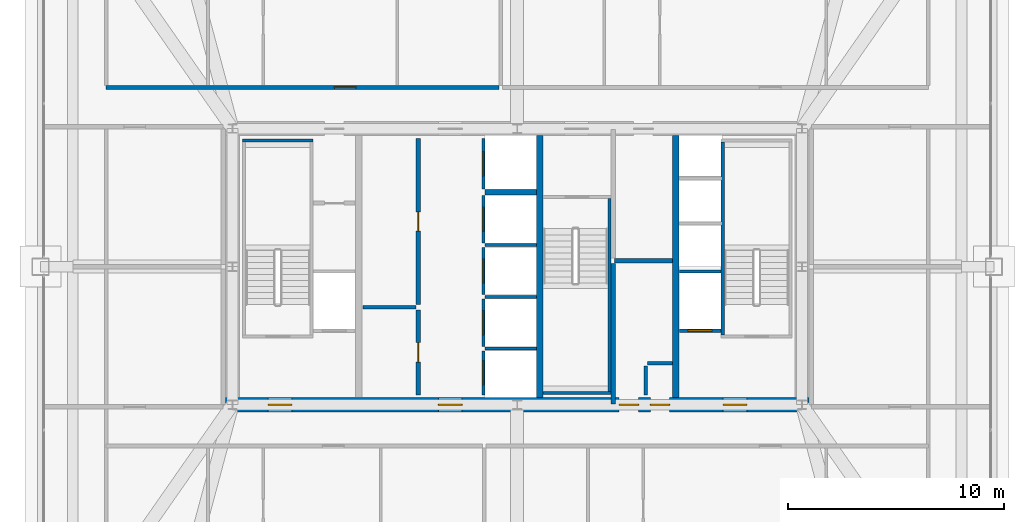
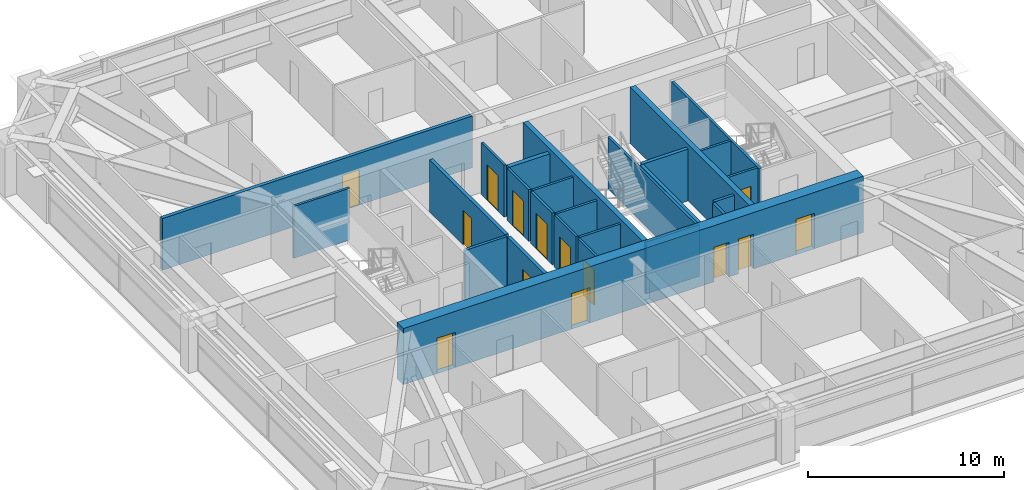
# One storey, part 35 of 39: 26 walls, 14 doors, 14 openings.
"""IFC4 building model written with IfcOpenShell, lengths in metres."""

from ifc_helpers import new_model, si_unit, direction, frame, frame_2d, origin, place, context, subcontext, project, spatial, rectangle, extrude, source, transform, mapped, material, layer, layer_set, type_object, element, fill, save


model = new_model("IFC4")

# Units and contexts
model_context = context("Model", 3, precision=1e-05, world=origin(), true_north=direction((0.0, 1.0)))
body_context = subcontext(model_context, "Body", "Model", "MODEL_VIEW")
ifc_project = project(units=[si_unit("LENGTHUNIT", "METRE"), si_unit("AREAUNIT", "SQUARE_METRE"), si_unit("VOLUMEUNIT", "CUBIC_METRE"), si_unit("PLANEANGLEUNIT", "RADIAN"), si_unit("MASSUNIT", "GRAM", prefix="KILO"), si_unit("THERMODYNAMICTEMPERATUREUNIT", "KELVIN"), si_unit("POWERUNIT", "WATT")], contexts=[model_context])

# Site, building, storey
site_placement = place(None, origin())
site = spatial("IfcSite", under=ifc_project, at=site_placement, CompositionType="ELEMENT")
building_placement = place(site_placement, origin())
building = spatial("IfcBuilding", under=site, at=building_placement, Name="Yuzanri Waterfront Tower", CompositionType="ELEMENT")
storey_placement = place(building_placement, frame((0.0, 0.0, 216.0)))
storey = spatial("IfcBuildingStorey", under=building, at=storey_placement, Name="L57", CompositionType="ELEMENT", Elevation=216.0)

# Wall, openings, doors
ifc_material_1 = material(Name="Concrete C50", Category="concrete")
ifc_layer_1 = layer(ifc_material_1, 0.64990234375)
ifc_layer_set_1 = layer_set([ifc_layer_1], Name="Concrete C50")
wall_type_1 = type_object("IfcWallType", Name="Concrete C50 Mid Zone Core Shear Wall 650", PredefinedType="SHEAR", material=ifc_layer_set_1)
wall_1_placement = place(storey_placement, frame((23.47509765625, 19.39990234375, 0.0), z_axis=(0.0, 0.0, 1.0), x_axis=(1.0, 0.0, 0.0)))
wall_1 = element("IfcWall", 1, at=wall_1_placement, inside=storey, type_object=wall_type_1, Name="L57 Core South Shear Wall", PredefinedType="SHEAR", context=body_context, shape_type="SweptSolid", body=[
    extrude(rectangle(XDim=27.0498046875, YDim=0.64990234375, at=frame_2d((13.52490234375, 0.0))), origin(), (0.0, 0.0, 1.0), 3.5),
])
opening_1_placement = place(wall_1_placement, frame((1.97509765625, 0.0, 0.0)))
opening_1 = element("IfcOpeningElement", 2, at=opening_1_placement, cuts=wall_1, Name="Opening FD-1100", PredefinedType="OPENING", context=body_context, shape_type="SweptSolid", body=[
    extrude(rectangle(XDim=1.10009765625, YDim=2.199951171875, at=frame_2d((0.550048828125, 1.10009765625))), frame((0.0, 0.33984375, 0.0), z_axis=(0.0, -1.0, 0.0), x_axis=(1.0, 0.0, 0.0)), (0.0, 0.0, 1.0), 0.6796875),
])
opening_2_placement = place(wall_1_placement, frame((9.875, 0.0, 0.0)))
opening_2 = element("IfcOpeningElement", 3, at=opening_2_placement, cuts=wall_1, Name="Opening FD-1100", PredefinedType="OPENING", context=body_context, shape_type="SweptSolid", body=[
    extrude(rectangle(XDim=1.10009765625, YDim=2.199951171875, at=frame_2d((0.550048828125, 1.10009765625))), frame((0.0, 0.33984375, 0.0), z_axis=(0.0, -1.0, 0.0), x_axis=(1.0, 0.0, 0.0)), (0.0, 0.0, 1.0), 0.6796875),
])
opening_3_placement = place(wall_1_placement, frame((23.074951171875, 0.0, 0.0)))
opening_3 = element("IfcOpeningElement", 4, at=opening_3_placement, cuts=wall_1, Name="Opening FD-1100", PredefinedType="OPENING", context=body_context, shape_type="SweptSolid", body=[
    extrude(rectangle(XDim=1.10009765625, YDim=2.199951171875, at=frame_2d((0.550048828125, 1.10009765625))), frame((0.0, 0.33984375, 0.0), z_axis=(0.0, -1.0, 0.0), x_axis=(1.0, 0.0, 0.0)), (0.0, 0.0, 1.0), 0.6796875),
])
opening_4_placement = place(wall_1_placement, frame((19.695068359375, 0.0, 0.0)))
opening_4 = element("IfcOpeningElement", 5, at=opening_4_placement, cuts=wall_1, Name="Opening FD-0900", PredefinedType="OPENING", context=body_context, shape_type="SweptSolid", body=[
    extrude(rectangle(XDim=0.89990234375, YDim=2.14990234375, at=frame_2d((0.449951171875, 1.074951171875))), frame((0.0, 0.33984375, 0.0), z_axis=(0.0, -1.0, 0.0), x_axis=(1.0, 0.0, 0.0)), (0.0, 0.0, 1.0), 0.6796875),
])
opening_5_placement = place(wall_1_placement, frame((18.2548828125, 0.0, 0.0)))
opening_5 = element("IfcOpeningElement", 6, at=opening_5_placement, cuts=wall_1, Name="Opening FD-0900", PredefinedType="OPENING", context=body_context, shape_type="SweptSolid", body=[
    extrude(rectangle(XDim=0.89990234375, YDim=2.14990234375, at=frame_2d((0.449951171875, 1.074951171875))), frame((0.0, 0.33984375, 0.0), z_axis=(0.0, -1.0, 0.0), x_axis=(1.0, 0.0, 0.0)), (0.0, 0.0, 1.0), 0.6796875),
])
ifc_material_2 = material(Name="Painted Galvanized Fire Steel", Category="steel")
door_type_1 = type_object("IfcDoorType", Name="Smoke-Proof Stair and Lobby Fire Door 1100x2200", OperationType="NOTDEFINED", PredefinedType="DOOR", material=ifc_material_2)
shared_shape_1 = source(origin(), body_context, "Body", "SweptSolid", [
    extrude(rectangle(XDim=1.10009765625, YDim=2.199951171875, at=frame_2d((0.550048828125, 1.10009765625))), frame((0.0, 0.02490234375, 0.0), z_axis=(0.0, -1.0, 0.0), x_axis=(1.0, 0.0, 0.0)), (0.0, 0.0, 1.0), 0.050048828125),
])
door_1_placement = place(opening_1_placement, origin())
door_1 = element("IfcDoor", 7, at=door_1_placement, inside=storey, type_object=door_type_1, Name="L57 West Firefighting Lobby Door", OperationType="SINGLE_SWING_LEFT", OverallHeight=2.199951171875, OverallWidth=1.10009765625, PredefinedType="DOOR", context=body_context, shape_type="MappedRepresentation", body=[
    mapped(shared_shape_1, transform((0.0, 0.0, 0.0), scale=1.0)),
])
fill(opening_1, door_1)
door_2_placement = place(opening_2_placement, origin())
door_2 = element("IfcDoor", 8, at=door_2_placement, inside=storey, type_object=door_type_1, Name="L57 Central Lift Lobby South Door", OperationType="SINGLE_SWING_RIGHT", OverallHeight=2.199951171875, OverallWidth=1.10009765625, PredefinedType="DOOR", context=body_context, shape_type="MappedRepresentation", body=[
    mapped(shared_shape_1, transform((0.0, 0.0, 0.0), scale=1.0)),
])
fill(opening_2, door_2)
door_3_placement = place(opening_3_placement, origin())
door_3 = element("IfcDoor", 9, at=door_3_placement, inside=storey, type_object=door_type_1, Name="L57 East Firefighting Lobby Door", OperationType="SINGLE_SWING_LEFT", OverallHeight=2.199951171875, OverallWidth=1.10009765625, PredefinedType="DOOR", context=body_context, shape_type="MappedRepresentation", body=[
    mapped(shared_shape_1, transform((0.0, 0.0, 0.0), scale=1.0)),
])
fill(opening_3, door_3)
ifc_material_3 = material(Name="Painted Galvanized Fire Steel", Category="steel")
door_type_2 = type_object("IfcDoorType", Name="Riser and Service Room Fire Door 900x2150", OperationType="NOTDEFINED", PredefinedType="DOOR", material=ifc_material_3)
shared_shape_2 = source(origin(), body_context, "Body", "SweptSolid", [
    extrude(rectangle(XDim=0.89990234375, YDim=2.14990234375, at=frame_2d((0.449951171875, 1.074951171875))), frame((0.0, 0.02490234375, 0.0), z_axis=(0.0, -1.0, 0.0), x_axis=(1.0, 0.0, 0.0)), (0.0, 0.0, 1.0), 0.050048828125),
])
door_4_placement = place(opening_4_placement, origin())
door_4 = element("IfcDoor", 10, at=door_4_placement, inside=storey, type_object=door_type_2, Name="L57 East Wet Riser Door", OperationType="SINGLE_SWING_RIGHT", OverallHeight=2.14990234375, OverallWidth=0.89990234375, PredefinedType="DOOR", context=body_context, shape_type="MappedRepresentation", body=[
    mapped(shared_shape_2, transform((0.0, 0.0, 0.0), scale=1.0)),
])
fill(opening_4, door_4)
door_5_placement = place(opening_5_placement, origin())
door_5 = element("IfcDoor", 11, at=door_5_placement, inside=storey, type_object=door_type_2, Name="L57 Meter and Valve Store Room", OperationType="SINGLE_SWING_LEFT", OverallHeight=2.14990234375, OverallWidth=0.89990234375, PredefinedType="DOOR", context=body_context, shape_type="MappedRepresentation", body=[
    mapped(shared_shape_2, transform((0.0, 0.0, 0.0), scale=1.0)),
])
fill(opening_5, door_5)

# Wall, opening, door
ifc_material_4 = material(Name="Concrete C40", Category="concrete")
ifc_layer_2 = layer(ifc_material_4, 0.139892578125)
ifc_layer_set_2 = layer_set([ifc_layer_2], Name="Concrete C40")
wall_type_2 = type_object("IfcWallType", Name="Core Stair Liner and Hoistway Shaft Wall 140", PredefinedType="SOLIDWALL", material=ifc_layer_set_2)
wall_2_placement = place(storey_placement, frame((44.52001953125, 22.830078125, 0.0), z_axis=(0.0, 0.0, 1.0), x_axis=(1.0, 0.0, 0.0)))
wall_2 = element("IfcWall", 12, at=wall_2_placement, inside=storey, type_object=wall_type_2, Name="L57 Lift FL-02 Front Shaft Wall", PredefinedType="SOLIDWALL", context=body_context, shape_type="SweptSolid", body=[
    extrude(rectangle(XDim=1.919921875, YDim=0.139892578125, at=frame_2d((0.9599609375, 0.0))), origin(), (0.0, 0.0, 1.0), 3.219970703125),
])
opening_6_placement = place(wall_2_placement, frame((0.409912109375, 0.0, 0.0)))
opening_6 = element("IfcOpeningElement", 13, at=opening_6_placement, cuts=wall_2, Name="Opening LD-FL-02", PredefinedType="OPENING", context=body_context, shape_type="SweptSolid", body=[
    extrude(rectangle(XDim=1.10009765625, YDim=2.199951171875, at=frame_2d((0.550048828125, 1.10009765625))), frame((0.0, 0.0849609375, 0.0), z_axis=(0.0, -1.0, 0.0), x_axis=(1.0, 0.0, 0.0)), (0.0, 0.0, 1.0), 0.169677734375),
])
ifc_material_5 = material(Name="Brushed Bronze and Stainless Steel Cab", Category="steel")
door_type_3 = type_object("IfcDoorType", Name="Center-Parting Bronze Lift Landing Sliding Door 1100x2200", OperationType="NOTDEFINED", PredefinedType="DOOR", material=ifc_material_5)
shared_shape_3 = source(origin(), body_context, "Body", "SweptSolid", [
    extrude(rectangle(XDim=1.10009765625, YDim=2.199951171875, at=frame_2d((0.550048828125, 1.10009765625))), frame((0.0, 0.02490234375, 0.0), z_axis=(0.0, -1.0, 0.0), x_axis=(1.0, 0.0, 0.0)), (0.0, 0.0, 1.0), 0.050048828125),
])
door_6_placement = place(opening_6_placement, origin())
door_6 = element("IfcDoor", 14, at=door_6_placement, inside=storey, type_object=door_type_3, Name="L57 FL-02 Lift Landing Sliding Door", OperationType="SLIDING_TO_RIGHT", OverallHeight=2.199951171875, OverallWidth=1.10009765625, PredefinedType="DOOR", context=body_context, shape_type="MappedRepresentation", body=[
    mapped(shared_shape_3, transform((0.0, 0.0, 0.0), scale=1.0)),
])
fill(opening_6, door_6)

wall_3_placement = place(storey_placement, frame((35.429931640625, 19.860107421875, 0.0), z_axis=(0.0, 0.0, 1.0), x_axis=(0.0, 1.0, 0.0)))
wall_3 = element("IfcWall", 15, at=wall_3_placement, inside=storey, type_object=wall_type_2, Name="L57 Lift PL-05 Front Shaft Wall", PredefinedType="SOLIDWALL", context=body_context, shape_type="SweptSolid", body=[
    extrude(rectangle(XDim=2.039794921875, YDim=0.139892578125, at=frame_2d((1.02001953125, 0.0))), origin(), (0.0, 0.0, 1.0), 3.219970703125),
])
opening_7_placement = place(wall_3_placement, frame((0.469970703125, 0.0, 0.0)))
opening_7 = element("IfcOpeningElement", 16, at=opening_7_placement, cuts=wall_3, Name="Opening LD-PL-05", PredefinedType="OPENING", context=body_context, shape_type="SweptSolid", body=[
    extrude(rectangle(XDim=1.10009765625, YDim=2.199951171875, at=frame_2d((0.550048828125, 1.10009765625))), frame((0.0, 0.0849609375, 0.0), z_axis=(0.0, -1.0, 0.0), x_axis=(1.0, 0.0, 0.0)), (0.0, 0.0, 1.0), 0.169677734375),
])
door_7_placement = place(opening_7_placement, origin())
door_7 = element("IfcDoor", 17, at=door_7_placement, inside=storey, type_object=door_type_3, Name="L57 PL-05 Lift Landing Sliding Door", OperationType="SLIDING_TO_RIGHT", OverallHeight=2.199951171875, OverallWidth=1.10009765625, PredefinedType="DOOR", context=body_context, shape_type="MappedRepresentation", body=[
    mapped(shared_shape_3, transform((0.0, 0.0, 0.0), scale=1.0)),
])
fill(opening_7, door_7)

wall_4_placement = place(storey_placement, frame((35.429931640625, 22.10009765625, 0.0), z_axis=(0.0, 0.0, 1.0), x_axis=(0.0, 1.0, 0.0)))
wall_4 = element("IfcWall", 18, at=wall_4_placement, inside=storey, type_object=wall_type_2, Name="L57 Lift PL-06 Front Shaft Wall", PredefinedType="SOLIDWALL", context=body_context, shape_type="SweptSolid", body=[
    extrude(rectangle(XDim=2.199951171875, YDim=0.139892578125, at=frame_2d((1.10009765625, 0.0))), origin(), (0.0, 0.0, 1.0), 3.219970703125),
])
opening_8_placement = place(wall_4_placement, frame((0.550048828125, 0.0, 0.0)))
opening_8 = element("IfcOpeningElement", 19, at=opening_8_placement, cuts=wall_4, Name="Opening LD-PL-06", PredefinedType="OPENING", context=body_context, shape_type="SweptSolid", body=[
    extrude(rectangle(XDim=1.10009765625, YDim=2.199951171875, at=frame_2d((0.550048828125, 1.10009765625))), frame((0.0, 0.0849609375, 0.0), z_axis=(0.0, -1.0, 0.0), x_axis=(1.0, 0.0, 0.0)), (0.0, 0.0, 1.0), 0.169677734375),
])
door_8_placement = place(opening_8_placement, origin())
door_8 = element("IfcDoor", 20, at=door_8_placement, inside=storey, type_object=door_type_3, Name="L57 PL-06 Lift Landing Sliding Door", OperationType="SLIDING_TO_LEFT", OverallHeight=2.199951171875, OverallWidth=1.10009765625, PredefinedType="DOOR", context=body_context, shape_type="MappedRepresentation", body=[
    mapped(shared_shape_3, transform((0.0, 0.0, 0.0), scale=1.0)),
])
fill(opening_8, door_8)

wall_5_placement = place(storey_placement, frame((35.429931640625, 24.5, 0.0), z_axis=(0.0, 0.0, 1.0), x_axis=(0.0, 1.0, 0.0)))
wall_5 = element("IfcWall", 21, at=wall_5_placement, inside=storey, type_object=wall_type_2, Name="L57 Lift PL-07 Front Shaft Wall", PredefinedType="SOLIDWALL", context=body_context, shape_type="SweptSolid", body=[
    extrude(rectangle(XDim=2.199951171875, YDim=0.139892578125, at=frame_2d((1.10009765625, 0.0))), origin(), (0.0, 0.0, 1.0), 3.219970703125),
])
opening_9_placement = place(wall_5_placement, frame((0.550048828125, 0.0, 0.0)))
opening_9 = element("IfcOpeningElement", 22, at=opening_9_placement, cuts=wall_5, Name="Opening LD-PL-07", PredefinedType="OPENING", context=body_context, shape_type="SweptSolid", body=[
    extrude(rectangle(XDim=1.10009765625, YDim=2.199951171875, at=frame_2d((0.550048828125, 1.10009765625))), frame((0.0, 0.0849609375, 0.0), z_axis=(0.0, -1.0, 0.0), x_axis=(1.0, 0.0, 0.0)), (0.0, 0.0, 1.0), 0.169677734375),
])
door_9_placement = place(opening_9_placement, origin())
door_9 = element("IfcDoor", 23, at=door_9_placement, inside=storey, type_object=door_type_3, Name="L57 PL-07 Lift Landing Sliding Door", OperationType="SLIDING_TO_RIGHT", OverallHeight=2.199951171875, OverallWidth=1.10009765625, PredefinedType="DOOR", context=body_context, shape_type="MappedRepresentation", body=[
    mapped(shared_shape_3, transform((0.0, 0.0, 0.0), scale=1.0)),
])
fill(opening_9, door_9)

wall_6_placement = place(storey_placement, frame((35.429931640625, 26.89990234375, 0.0), z_axis=(0.0, 0.0, 1.0), x_axis=(0.0, 1.0, 0.0)))
wall_6 = element("IfcWall", 24, at=wall_6_placement, inside=storey, type_object=wall_type_2, Name="L57 Lift PL-08 Front Shaft Wall", PredefinedType="SOLIDWALL", context=body_context, shape_type="SweptSolid", body=[
    extrude(rectangle(XDim=2.2001953125, YDim=0.139892578125, at=frame_2d((1.10009765625, 0.0))), origin(), (0.0, 0.0, 1.0), 3.219970703125),
])
opening_10_placement = place(wall_6_placement, frame((0.550048828125, 0.0, 0.0)))
opening_10 = element("IfcOpeningElement", 25, at=opening_10_placement, cuts=wall_6, Name="Opening LD-PL-08", PredefinedType="OPENING", context=body_context, shape_type="SweptSolid", body=[
    extrude(rectangle(XDim=1.10009765625, YDim=2.199951171875, at=frame_2d((0.550048828125, 1.10009765625))), frame((0.0, 0.0849609375, 0.0), z_axis=(0.0, -1.0, 0.0), x_axis=(1.0, 0.0, 0.0)), (0.0, 0.0, 1.0), 0.169677734375),
])
door_10_placement = place(opening_10_placement, origin())
door_10 = element("IfcDoor", 26, at=door_10_placement, inside=storey, type_object=door_type_3, Name="L57 PL-08 Lift Landing Sliding Door", OperationType="SLIDING_TO_LEFT", OverallHeight=2.199951171875, OverallWidth=1.10009765625, PredefinedType="DOOR", context=body_context, shape_type="MappedRepresentation", body=[
    mapped(shared_shape_3, transform((0.0, 0.0, 0.0), scale=1.0)),
])
fill(opening_10, door_10)

wall_7_placement = place(storey_placement, frame((35.429931640625, 29.39990234375, 0.0), z_axis=(0.0, 0.0, 1.0), x_axis=(0.0, 1.0, 0.0)))
wall_7 = element("IfcWall", 27, at=wall_7_placement, inside=storey, type_object=wall_type_2, Name="L57 Lift SL-02 Front Shaft Wall", PredefinedType="SOLIDWALL", context=body_context, shape_type="SweptSolid", body=[
    extrude(rectangle(XDim=2.340087890625, YDim=0.139892578125, at=frame_2d((1.169921875, 0.0))), origin(), (0.0, 0.0, 1.0), 3.219970703125),
])
opening_11_placement = place(wall_7_placement, frame((0.6201171875, 0.0, 0.0)))
opening_11 = element("IfcOpeningElement", 28, at=opening_11_placement, cuts=wall_7, Name="Opening LD-SL-02", PredefinedType="OPENING", context=body_context, shape_type="SweptSolid", body=[
    extrude(rectangle(XDim=1.10009765625, YDim=2.199951171875, at=frame_2d((0.550048828125, 1.10009765625))), frame((0.0, 0.0849609375, 0.0), z_axis=(0.0, -1.0, 0.0), x_axis=(1.0, 0.0, 0.0)), (0.0, 0.0, 1.0), 0.169677734375),
])
door_11_placement = place(opening_11_placement, origin())
door_11 = element("IfcDoor", 29, at=door_11_placement, inside=storey, type_object=door_type_3, Name="L57 SL-02 Lift Landing Sliding Door", OperationType="SLIDING_TO_RIGHT", OverallHeight=2.199951171875, OverallWidth=1.10009765625, PredefinedType="DOOR", context=body_context, shape_type="MappedRepresentation", body=[
    mapped(shared_shape_3, transform((0.0, 0.0, 0.0), scale=1.0)),
])
fill(opening_11, door_11)

ifc_material_6 = material(Name="Autoclaved Aerated Concrete Blockwork", Category="masonry")
ifc_layer_3 = layer(ifc_material_6, 0.199951171875)
ifc_layer_set_3 = layer_set([ifc_layer_3], Name="Autoclaved Aerated Concrete Blockwork")
wall_type_3 = type_object("IfcWallType", Name="Corridor and Unit Party Fire Wall 200", PredefinedType="PARTITIONING", material=ifc_layer_set_3)
wall_8_placement = place(storey_placement, frame((32.419921875, 19.860107421875, 0.0), z_axis=(0.0, 0.0, 1.0), x_axis=(0.0, 1.0, 0.0)))
wall_8 = element("IfcWall", 30, at=wall_8_placement, inside=storey, type_object=wall_type_3, Name="L57 Partition CRW-L57-B1R-1", PredefinedType="PARTITIONING", context=body_context, shape_type="SweptSolid", body=[
    extrude(rectangle(XDim=3.93994140625, YDim=0.199951171875, at=frame_2d((1.969970703125, 0.0))), origin(), (0.0, 0.0, 1.0), 3.219970703125),
])
opening_12_placement = place(wall_8_placement, frame((1.52001953125, 0.0, 0.0)))
opening_12 = element("IfcOpeningElement", 31, at=opening_12_placement, cuts=wall_8, Name="Opening FD-0900", PredefinedType="OPENING", context=body_context, shape_type="SweptSolid", body=[
    extrude(rectangle(XDim=0.89990234375, YDim=2.14990234375, at=frame_2d((0.449951171875, 1.074951171875))), frame((0.0, 0.11474609375, 0.0), z_axis=(0.0, -1.0, 0.0), x_axis=(1.0, 0.0, 0.0)), (0.0, 0.0, 1.0), 0.229736328125),
])
door_12_placement = place(opening_12_placement, origin())
door_12 = element("IfcDoor", 32, at=door_12_placement, inside=storey, type_object=door_type_2, Name="L57 Janitor Supply Store Room", OperationType="SINGLE_SWING_RIGHT", OverallHeight=2.14990234375, OverallWidth=0.89990234375, PredefinedType="DOOR", context=body_context, shape_type="MappedRepresentation", body=[
    mapped(shared_shape_2, transform((0.0, 0.0, 0.0), scale=1.0)),
])
fill(opening_12, door_12)

wall_9_placement = place(storey_placement, frame((32.419921875, 24.050048828125, 0.0), z_axis=(0.0, 0.0, 1.0), x_axis=(0.0, 1.0, 0.0)))
wall_9 = element("IfcWall", 33, at=wall_9_placement, inside=storey, type_object=wall_type_3, Name="L57 Partition CRW-L57-B1R-2", PredefinedType="PARTITIONING", context=body_context, shape_type="SweptSolid", body=[
    extrude(rectangle(XDim=7.68994140625, YDim=0.199951171875, at=frame_2d((3.844970703125, 0.0))), origin(), (0.0, 0.0, 1.0), 3.219970703125),
])
opening_13_placement = place(wall_9_placement, frame((3.39501953125, 0.0, 0.0)))
opening_13 = element("IfcOpeningElement", 34, at=opening_13_placement, cuts=wall_9, Name="Opening FD-0900", PredefinedType="OPENING", context=body_context, shape_type="SweptSolid", body=[
    extrude(rectangle(XDim=0.89990234375, YDim=2.14990234375, at=frame_2d((0.449951171875, 1.074951171875))), frame((0.0, 0.11474609375, 0.0), z_axis=(0.0, -1.0, 0.0), x_axis=(1.0, 0.0, 0.0)), (0.0, 0.0, 1.0), 0.229736328125),
])
door_13_placement = place(opening_13_placement, origin())
door_13 = element("IfcDoor", 35, at=door_13_placement, inside=storey, type_object=door_type_2, Name="L57 Common Store Room", OperationType="SINGLE_SWING_LEFT", OverallHeight=2.14990234375, OverallWidth=0.89990234375, PredefinedType="DOOR", context=body_context, shape_type="MappedRepresentation", body=[
    mapped(shared_shape_2, transform((0.0, 0.0, 0.0), scale=1.0)),
])
fill(opening_13, door_13)

wall_10_placement = place(storey_placement, frame((17.93994140625, 34.110107421875, 0.0), z_axis=(0.0, 0.0, 1.0), x_axis=(1.0, 0.0, 0.0)))
wall_10 = element("IfcWall", 36, at=wall_10_placement, inside=storey, type_object=wall_type_3, Name="L57 Partition UW-L57-RN1-CS", PredefinedType="PARTITIONING", context=body_context, shape_type="SweptSolid", body=[
    extrude(rectangle(XDim=18.218017578125, YDim=0.199951171875, at=frame_2d((9.10888671875, 0.0))), origin(), (0.0, 0.0, 1.0), 3.219970703125),
])
opening_14_placement = place(wall_10_placement, frame((10.58203125, 0.0, 0.0)))
opening_14 = element("IfcOpeningElement", 37, at=opening_14_placement, cuts=wall_10, Name="Opening FD-1000", PredefinedType="OPENING", context=body_context, shape_type="SweptSolid", body=[
    extrude(rectangle(XDim=1.0, YDim=2.199951171875, at=frame_2d((0.5, 1.10009765625))), frame((0.0, 0.11474609375, 0.0), z_axis=(0.0, -1.0, 0.0), x_axis=(1.0, 0.0, 0.0)), (0.0, 0.0, 1.0), 0.229736328125),
])
ifc_material_7 = material(Name="Engineered Oak Fire-Rated Timber", Category="wood")
door_type_4 = type_object("IfcDoorType", Name="Guestroom and Apartment Entrance Fire Door 1000x2200", OperationType="NOTDEFINED", PredefinedType="DOOR", material=ifc_material_7)
shared_shape_4 = source(origin(), body_context, "Body", "SweptSolid", [
    extrude(rectangle(XDim=1.0, YDim=2.199951171875, at=frame_2d((0.5, 1.10009765625))), frame((0.0, 0.02490234375, 0.0), z_axis=(0.0, -1.0, 0.0), x_axis=(1.0, 0.0, 0.0)), (0.0, 0.0, 1.0), 0.050048828125),
])
door_14_placement = place(opening_14_placement, origin())
door_14 = element("IfcDoor", 38, at=door_14_placement, inside=storey, type_object=door_type_4, Name="L57 Apartment Living and Dining Salon Entrance Door", OperationType="SINGLE_SWING_LEFT", OverallHeight=2.199951171875, OverallWidth=1.0, PredefinedType="DOOR", context=body_context, shape_type="MappedRepresentation", body=[
    mapped(shared_shape_4, transform((0.0, 0.0, 0.0), scale=1.0)),
])
fill(opening_14, door_14)

# Walls
ifc_material_8 = material(Name="Concrete C50", Category="concrete")
ifc_layer_4 = layer(ifc_material_8, 0.300048828125)
ifc_layer_set_4 = layer_set([ifc_layer_4], Name="Concrete C50")
wall_type_4 = type_object("IfcWallType", Name="Concrete C50 Internal Core Shaft Structural Wall 300", PredefinedType="SOLIDWALL", material=ifc_layer_set_4)
shared_shape_5 = source(origin(), body_context, "Body", "SweptSolid", [
    extrude(rectangle(XDim=12.14990234375, YDim=0.300048828125, at=frame_2d((6.074951171875, 0.0))), origin(), (0.0, 0.0, 1.0), 3.5),
])
for number, where, z_axis, x_axis, name in (
    (39, (38.050048828125, 19.72509765625, 0.0), (0.0, 0.0, 1.0), (0.0, 1.0, 0.0), "L57 Core Internal Structural Web Wall 2"),
    (40, (44.35009765625, 19.72509765625, 0.0), (0.0, 0.0, 1.0), (0.0, 1.0, 0.0), "L57 Core Internal Structural Web Wall 3"),
):
    element("IfcWall", number, at=place(storey_placement, frame(where, z_axis=z_axis, x_axis=x_axis)), inside=storey, type_object=wall_type_4, Name=name, PredefinedType="SOLIDWALL", context=body_context, shape_type="MappedRepresentation", body=[
        mapped(shared_shape_5, transform((0.0, 0.0, 0.0), scale=1.0)),
    ])
shared_shape_6 = source(origin(), body_context, "Body", "SweptSolid", [
    extrude(rectangle(XDim=1.919921875, YDim=0.139892578125, at=frame_2d((0.9599609375, 0.0))), origin(), (0.0, 0.0, 1.0), 3.219970703125),
])
wall_11_placement = place(storey_placement, frame((44.52001953125, 25.570068359375, 0.0), z_axis=(0.0, 0.0, 1.0), x_axis=(1.0, 0.0, 0.0)))
element("IfcWall", 41, at=wall_11_placement, inside=storey, type_object=wall_type_2, Name="L57 Lift FL-02 Back Shaft Wall", PredefinedType="SOLIDWALL", context=body_context, shape_type="MappedRepresentation", body=[
    mapped(shared_shape_6, transform((0.0, 0.0, 0.0), scale=1.0)),
])
shared_shape_7 = source(origin(), body_context, "Body", "SweptSolid", [
    extrude(rectangle(XDim=2.39990234375, YDim=0.139892578125, at=frame_2d((1.199951171875, 0.0))), origin(), (0.0, 0.0, 1.0), 3.219970703125),
])
for number, where, z_axis, x_axis, name in (
    (42, (35.5, 22.0, 0.0), (0.0, 0.0, 1.0), (1.0, 0.0, 0.0), "L57 Lift PL-05 Divider Wall"),
    (43, (35.5, 24.39990234375, 0.0), (0.0, 0.0, 1.0), (1.0, 0.0, 0.0), "L57 Lift PL-06 Divider Wall"),
    (44, (35.5, 26.800048828125, 0.0), (0.0, 0.0, 1.0), (1.0, 0.0, 0.0), "L57 Lift PL-07 Divider Wall"),
):
    element("IfcWall", number, at=place(storey_placement, frame(where, z_axis=z_axis, x_axis=x_axis)), inside=storey, type_object=wall_type_2, Name=name, PredefinedType="SOLIDWALL", context=body_context, shape_type="MappedRepresentation", body=[
        mapped(shared_shape_7, transform((0.0, 0.0, 0.0), scale=1.0)),
    ])
ifc_material_9 = material(Name="Concrete C40", Category="concrete")
ifc_layer_5 = layer(ifc_material_9, 0.25)
ifc_layer_set_5 = layer_set([ifc_layer_5], Name="Concrete C40")
wall_type_5 = type_object("IfcWallType", Name="Smoke-Proof Stair and Lift Shaft Wall 250", PredefinedType="SOLIDWALL", material=ifc_layer_set_5)
shared_shape_8 = source(origin(), body_context, "Body", "SweptSolid", [
    extrude(rectangle(XDim=2.39990234375, YDim=0.25, at=frame_2d((1.199951171875, 0.0))), origin(), (0.0, 0.0, 1.0), 3.219970703125),
])
wall_12_placement = place(storey_placement, frame((35.5, 29.25, 0.0), z_axis=(0.0, 0.0, 1.0), x_axis=(1.0, 0.0, 0.0)))
element("IfcWall", 45, at=wall_12_placement, inside=storey, type_object=wall_type_5, Name="L57 Lift SL-02 South Shaft Wall", PredefinedType="SOLIDWALL", context=body_context, shape_type="MappedRepresentation", body=[
    mapped(shared_shape_8, transform((0.0, 0.0, 0.0), scale=1.0)),
])
shared_shape_9 = source(origin(), body_context, "Body", "SweptSolid", [
    extrude(rectangle(XDim=3.280029296875, YDim=0.139892578125, at=frame_2d((1.64013671875, 0.0))), origin(), (0.0, 0.0, 1.0), 3.219970703125),
])
wall_13_placement = place(storey_placement, frame((24.260009765625, 31.64990234375, 0.0), z_axis=(0.0, 0.0, 1.0), x_axis=(1.0, 0.0, 0.0)))
element("IfcWall", 46, at=wall_13_placement, inside=storey, type_object=wall_type_2, Name="L57 Stair ST-01 North Shaft Wall", PredefinedType="SOLIDWALL", context=body_context, shape_type="MappedRepresentation", body=[
    mapped(shared_shape_9, transform((0.0, 0.0, 0.0), scale=1.0)),
])
shared_shape_10 = source(origin(), body_context, "Body", "SweptSolid", [
    extrude(rectangle(XDim=8.940185546875, YDim=0.139892578125, at=frame_2d((4.47021484375, 0.0))), origin(), (0.0, 0.0, 1.0), 3.219970703125),
])
wall_14_placement = place(storey_placement, frame((46.530029296875, 22.639892578125, 0.0), z_axis=(0.0, 0.0, 1.0), x_axis=(0.0, 1.0, 0.0)))
element("IfcWall", 47, at=wall_14_placement, inside=storey, type_object=wall_type_2, Name="L57 Stair ST-02 West Shaft Wall", PredefinedType="SOLIDWALL", context=body_context, shape_type="MappedRepresentation", body=[
    mapped(shared_shape_10, transform((0.0, 0.0, 0.0), scale=1.0)),
])
shared_shape_11 = source(origin(), body_context, "Body", "SweptSolid", [
    extrude(rectangle(XDim=3.14013671875, YDim=0.139892578125, at=frame_2d((1.570068359375, 0.0))), origin(), (0.0, 0.0, 1.0), 3.219970703125),
])
wall_15_placement = place(storey_placement, frame((38.199951171875, 19.949951171875, 0.0), z_axis=(0.0, 0.0, 1.0), x_axis=(1.0, 0.0, 0.0)))
element("IfcWall", 48, at=wall_15_placement, inside=storey, type_object=wall_type_2, Name="L57 Stair ST-03 South Shaft Wall", PredefinedType="SOLIDWALL", context=body_context, shape_type="MappedRepresentation", body=[
    mapped(shared_shape_11, transform((0.0, 0.0, 0.0), scale=1.0)),
])
shared_shape_12 = source(origin(), body_context, "Body", "SweptSolid", [
    extrude(rectangle(XDim=8.93994140625, YDim=0.139892578125, at=frame_2d((4.469970703125, 0.0))), origin(), (0.0, 0.0, 1.0), 3.219970703125),
])
wall_16_placement = place(storey_placement, frame((41.27001953125, 20.02001953125, 0.0), z_axis=(0.0, 0.0, 1.0), x_axis=(0.0, 1.0, 0.0)))
element("IfcWall", 49, at=wall_16_placement, inside=storey, type_object=wall_type_2, Name="L57 Stair ST-03 East Shaft Wall", PredefinedType="SOLIDWALL", context=body_context, shape_type="MappedRepresentation", body=[
    mapped(shared_shape_12, transform((0.0, 0.0, 0.0), scale=1.0)),
])
ifc_material_10 = material(Name="Gypsum Fireboard Acoustic Stud Wall", Category="gypsum")
ifc_layer_6 = layer(ifc_material_10, 0.159912109375)
ifc_layer_set_6 = layer_set([ifc_layer_6], Name="Gypsum Fireboard Acoustic Stud Wall")
wall_type_6 = type_object("IfcWallType", Name="Acoustic Suite Demising Partition 160", PredefinedType="PARTITIONING", material=ifc_layer_set_6)
shared_shape_13 = source(origin(), body_context, "Body", "SweptSolid", [
    extrude(rectangle(XDim=2.469970703125, YDim=0.159912109375, at=frame_2d((1.23486328125, 0.0))), origin(), (0.0, 0.0, 1.0), 3.219970703125),
])
wall_17_placement = place(storey_placement, frame((29.85009765625, 23.929931640625, 0.0), z_axis=(0.0, 0.0, 1.0), x_axis=(1.0, 0.0, 0.0)))
element("IfcWall", 50, at=wall_17_placement, inside=storey, type_object=wall_type_6, Name="L57 Reclaimed Core Divider 2", PredefinedType="PARTITIONING", context=body_context, shape_type="MappedRepresentation", body=[
    mapped(shared_shape_13, transform((0.0, 0.0, 0.0), scale=1.0)),
])
shared_shape_14 = source(origin(), body_context, "Body", "SweptSolid", [
    extrude(rectangle(XDim=1.33984375, YDim=0.159912109375, at=frame_2d((0.669921875, 0.0))), origin(), (0.0, 0.0, 1.0), 3.219970703125),
])
wall_18_placement = place(storey_placement, frame((42.949951171875, 19.860107421875, 0.0), z_axis=(0.0, 0.0, 1.0), x_axis=(0.0, 1.0, 0.0)))
element("IfcWall", 51, at=wall_18_placement, inside=storey, type_object=wall_type_6, Name="L57 East Wet Riser West Wall", PredefinedType="PARTITIONING", context=body_context, shape_type="MappedRepresentation", body=[
    mapped(shared_shape_14, transform((0.0, 0.0, 0.0), scale=1.0)),
])
shared_shape_15 = source(origin(), body_context, "Body", "SweptSolid", [
    extrude(rectangle(XDim=1.169921875, YDim=0.159912109375, at=frame_2d((0.5849609375, 0.0))), origin(), (0.0, 0.0, 1.0), 3.219970703125),
])
wall_19_placement = place(storey_placement, frame((43.030029296875, 21.320068359375, 0.0), z_axis=(0.0, 0.0, 1.0), x_axis=(1.0, 0.0, 0.0)))
element("IfcWall", 52, at=wall_19_placement, inside=storey, type_object=wall_type_6, Name="L57 East Wet Riser North Wall", PredefinedType="PARTITIONING", context=body_context, shape_type="MappedRepresentation", body=[
    mapped(shared_shape_15, transform((0.0, 0.0, 0.0), scale=1.0)),
])
shared_shape_16 = source(origin(), body_context, "Body", "SweptSolid", [
    extrude(rectangle(XDim=6.510009765625, YDim=0.199951171875, at=frame_2d((3.2548828125, 0.0))), origin(), (0.0, 0.0, 1.0), 3.219970703125),
])
wall_20_placement = place(storey_placement, frame((41.449951171875, 19.43994140625, 0.0), z_axis=(0.0, 0.0, 1.0), x_axis=(0.0, 1.0, 0.0)))
element("IfcWall", 53, at=wall_20_placement, inside=storey, type_object=wall_type_3, Name="L57 Core BOH West Wall 1", PredefinedType="PARTITIONING", context=body_context, shape_type="MappedRepresentation", body=[
    mapped(shared_shape_16, transform((0.0, 0.0, 0.0), scale=1.0)),
])
shared_shape_17 = source(origin(), body_context, "Body", "SweptSolid", [
    extrude(rectangle(XDim=2.699951171875, YDim=0.199951171875, at=frame_2d((1.35009765625, 0.0))), origin(), (0.0, 0.0, 1.0), 3.219970703125),
])
wall_21_placement = place(storey_placement, frame((41.5, 26.070068359375, 0.0), z_axis=(0.0, 0.0, 1.0), x_axis=(1.0, 0.0, 0.0)))
element("IfcWall", 54, at=wall_21_placement, inside=storey, type_object=wall_type_3, Name="L57 Core BOH Split Wall 1", PredefinedType="PARTITIONING", context=body_context, shape_type="MappedRepresentation", body=[
    mapped(shared_shape_17, transform((0.0, 0.0, 0.0), scale=1.0)),
])

save(model, "model.ifc")
